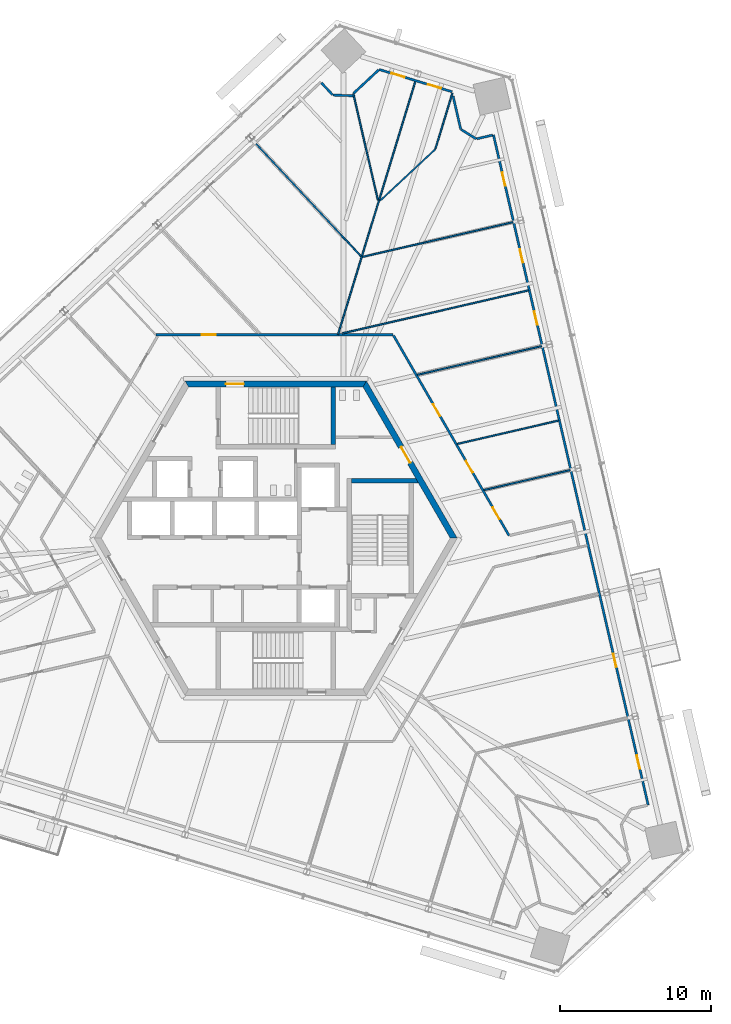
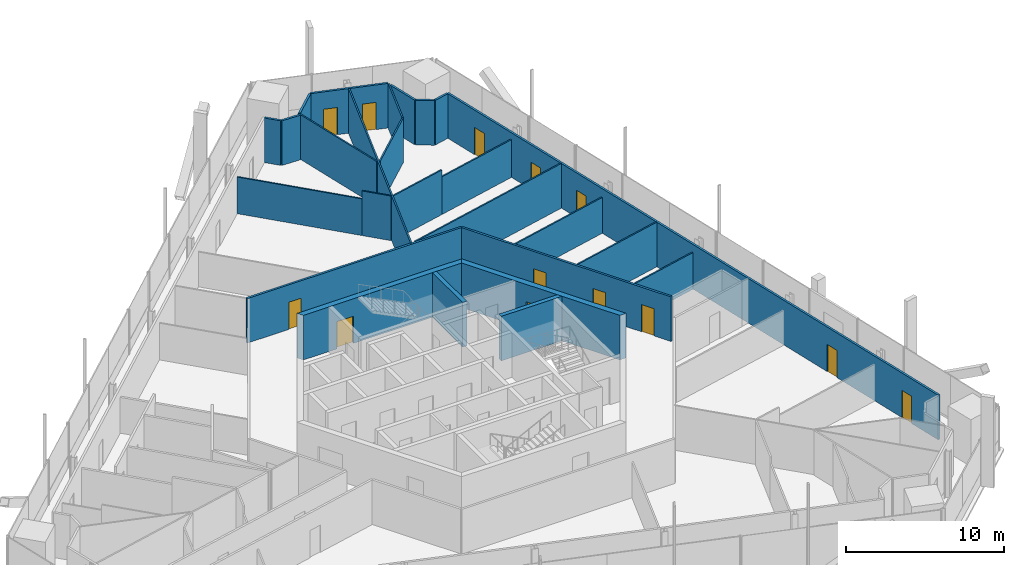
# One storey, part 16 of 24: 26 walls, 13 doors, 13 openings.
"""IFC4 building model written with IfcOpenShell, lengths in metres."""

from ifc_helpers import new_model, si_unit, direction, frame, frame_2d, origin, place, context, subcontext, project, spatial, polyline, rectangle, outline, extrude, source, transform, mapped, material, layer, layer_set, type_object, element, fill, save


model = new_model("IFC4")

# Units and contexts
model_context = context("Model", 3, precision=1e-05, world=origin(), true_north=direction((0.0, 1.0)))
body_context = subcontext(model_context, "Body", "Model", "MODEL_VIEW")
ifc_project = project(units=[si_unit("LENGTHUNIT", "METRE"), si_unit("AREAUNIT", "SQUARE_METRE"), si_unit("VOLUMEUNIT", "CUBIC_METRE"), si_unit("PLANEANGLEUNIT", "RADIAN"), si_unit("MASSUNIT", "GRAM", prefix="KILO")], contexts=[model_context])

# Site, building, storey
site_placement = place(None, origin())
site = spatial("IfcSite", under=ifc_project, at=site_placement, CompositionType="ELEMENT")
building_placement = place(site_placement, origin())
building = spatial("IfcBuilding", under=site, at=building_placement, Name="Triune Harvest Tower", CompositionType="ELEMENT")
storey_placement = place(building_placement, frame((0.0, 0.0, 127.10009765625)))
storey = spatial("IfcBuildingStorey", under=building, at=storey_placement, Name="L32", CompositionType="ELEMENT", Elevation=127.10009765625)

# Wall
ifc_material_1 = material(Name="Gypsum board on steel studs", Category="steel")
ifc_layer_1 = layer(ifc_material_1, 0.14990234375)
ifc_layer_set_1 = layer_set([ifc_layer_1], Name="Gypsum board on steel studs")
wall_type_1 = type_object("IfcWallType", Name="Fire Partition 150 mm", PredefinedType="PARTITIONING", material=ifc_layer_set_1)
wall_1_placement = place(storey_placement, frame((11.72314453125, 29.237548828125, 0.0), z_axis=(0.0, 0.0, 1.0), x_axis=(0.224962043888, -0.974367527584, 0.0)))
element("IfcWall", 1, at=wall_1_placement, inside=storey, type_object=wall_type_1, Name="Partition L32 004", PredefinedType="PARTITIONING", context=body_context, shape_type="SweptSolid", body=[
    extrude(rectangle(XDim=2.260498046875, YDim=0.14990234375, at=frame_2d((1.13037109375, 0.0))), origin(), (0.0, 0.0, 1.0), 3.43994140625),
])

# Wall, openings, doors
wall_2_placement = place(storey_placement, frame((14.39599609375, 26.66015625, 0.0), z_axis=(0.0, 0.0, 1.0), x_axis=(0.224955565269, -0.974369023345, 0.0)))
wall_2 = element("IfcWall", 2, at=wall_2_placement, inside=storey, type_object=wall_type_1, Name="Partition L32 007", PredefinedType="PARTITIONING", context=body_context, shape_type="SweptSolid", body=[
    extrude(rectangle(XDim=45.4765625, YDim=0.14990234375, at=frame_2d((22.73828125, 0.0))), origin(), (0.0, 0.0, 1.0), 3.43994140625),
])
opening_1_placement = place(wall_2_placement, frame((42.1171875, 0.0, 0.0)))
opening_1 = element("IfcOpeningElement", 3, at=opening_1_placement, cuts=wall_2, Name="Opening L32-001", PredefinedType="OPENING", context=body_context, shape_type="SweptSolid", body=[
    extrude(rectangle(XDim=0.89990234375, YDim=2.10009765625, at=frame_2d((0.449951171875, 1.050048828125))), frame((0.0, 0.0849609375, 0.0), z_axis=(0.0, -1.0, 0.0), x_axis=(1.0, 0.0, 0.0)), (0.0, 0.0, 1.0), 0.169921875),
])
opening_2_placement = place(wall_2_placement, frame((35.202880859375, 0.0, 0.0)))
opening_2 = element("IfcOpeningElement", 4, at=opening_2_placement, cuts=wall_2, Name="Opening L32-002", PredefinedType="OPENING", context=body_context, shape_type="SweptSolid", body=[
    extrude(rectangle(XDim=0.89990234375, YDim=2.10009765625, at=frame_2d((0.449951171875, 1.050048828125))), frame((0.0, 0.0849609375, 0.0), z_axis=(0.0, -1.0, 0.0), x_axis=(1.0, 0.0, 0.0)), (0.0, 0.0, 1.0), 0.169921875),
])
opening_3_placement = place(wall_2_placement, frame((7.759521484375, 0.0, 0.0)))
opening_3 = element("IfcOpeningElement", 5, at=opening_3_placement, cuts=wall_2, Name="Opening L32-007", PredefinedType="OPENING", context=body_context, shape_type="SweptSolid", body=[
    extrude(rectangle(XDim=0.89990234375, YDim=2.10009765625, at=frame_2d((0.449951171875, 1.050048828125))), frame((0.0, 0.0849609375, 0.0), z_axis=(0.0, -1.0, 0.0), x_axis=(1.0, 0.0, 0.0)), (0.0, 0.0, 1.0), 0.169921875),
])
opening_4_placement = place(wall_2_placement, frame((11.987548828125, 0.0, 0.0)))
opening_4 = element("IfcOpeningElement", 6, at=opening_4_placement, cuts=wall_2, Name="Opening L32-008", PredefinedType="OPENING", context=body_context, shape_type="SweptSolid", body=[
    extrude(rectangle(XDim=0.89990234375, YDim=2.10009765625, at=frame_2d((0.449951171875, 1.050048828125))), frame((0.0, 0.0849609375, 0.0), z_axis=(0.0, -1.0, 0.0), x_axis=(1.0, 0.0, 0.0)), (0.0, 0.0, 1.0), 0.169921875),
])
opening_5_placement = place(wall_2_placement, frame((2.550048828125, 0.0, 0.0)))
opening_5 = element("IfcOpeningElement", 7, at=opening_5_placement, cuts=wall_2, Name="Opening L32-009", PredefinedType="OPENING", context=body_context, shape_type="SweptSolid", body=[
    extrude(rectangle(XDim=0.89990234375, YDim=2.10009765625, at=frame_2d((0.449951171875, 1.050048828125))), frame((0.0, 0.0849609375, 0.0), z_axis=(0.0, -1.0, 0.0), x_axis=(1.0, 0.0, 0.0)), (0.0, 0.0, 1.0), 0.169921875),
])
ifc_material_2 = material(Name="Timber and steel door set", Category="steel")
door_type_1 = type_object("IfcDoorType", Name="Single leaf door FD30 left hand 900 x 2100", OperationType="SINGLE_SWING_LEFT", PredefinedType="DOOR", material=ifc_material_2)
door_1_placement = place(opening_1_placement, origin())
door_1 = element("IfcDoor", 8, at=door_1_placement, inside=storey, type_object=door_type_1, Name="Door L32-001 Reception 32.01", OperationType="SINGLE_SWING_LEFT", OverallHeight=2.10009765625, OverallWidth=0.89990234375, PredefinedType="DOOR", context=body_context, shape_type="SweptSolid", body=[
    extrude(rectangle(XDim=0.89990234375, YDim=2.10009765625, at=frame_2d((0.449951171875, 1.050048828125))), frame((0.0, 0.02490234375, 0.0), z_axis=(0.0, -1.0, 0.0), x_axis=(1.0, 0.0, 0.0)), (0.0, 0.0, 1.0), 0.050048828125),
])
fill(opening_1, door_1)
door_2_placement = place(opening_2_placement, origin())
door_2 = element("IfcDoor", 9, at=door_2_placement, inside=storey, type_object=door_type_1, Name="Door L32-002 Project Room 32.02", OperationType="SINGLE_SWING_LEFT", OverallHeight=2.10009765625, OverallWidth=0.89990234375, PredefinedType="DOOR", context=body_context, shape_type="SweptSolid", body=[
    extrude(rectangle(XDim=0.89990234375, YDim=2.10009765625, at=frame_2d((0.449951171875, 1.050048828125))), frame((0.0, 0.02490234375, 0.0), z_axis=(0.0, -1.0, 0.0), x_axis=(1.0, 0.0, 0.0)), (0.0, 0.0, 1.0), 0.050048828125),
])
fill(opening_2, door_2)
ifc_material_3 = material(Name="Timber and steel door set", Category="steel")
door_type_2 = type_object("IfcDoorType", Name="Single leaf door FD30 right hand 900 x 2100", OperationType="SINGLE_SWING_RIGHT", PredefinedType="DOOR", material=ifc_material_3)
door_3_placement = place(opening_3_placement, origin())
door_3 = element("IfcDoor", 10, at=door_3_placement, inside=storey, type_object=door_type_2, Name="Door L32-007 Office 32.07", OperationType="SINGLE_SWING_RIGHT", OverallHeight=2.10009765625, OverallWidth=0.89990234375, PredefinedType="DOOR", context=body_context, shape_type="SweptSolid", body=[
    extrude(rectangle(XDim=0.89990234375, YDim=2.10009765625, at=frame_2d((0.449951171875, 1.050048828125))), frame((0.0, 0.02490234375, 0.0), z_axis=(0.0, -1.0, 0.0), x_axis=(1.0, 0.0, 0.0)), (0.0, 0.0, 1.0), 0.050048828125),
])
fill(opening_3, door_3)
door_4_placement = place(opening_4_placement, origin())
door_4 = element("IfcDoor", 11, at=door_4_placement, inside=storey, type_object=door_type_2, Name="Door L32-008 Office 32.08", OperationType="SINGLE_SWING_RIGHT", OverallHeight=2.10009765625, OverallWidth=0.89990234375, PredefinedType="DOOR", context=body_context, shape_type="SweptSolid", body=[
    extrude(rectangle(XDim=0.89990234375, YDim=2.10009765625, at=frame_2d((0.449951171875, 1.050048828125))), frame((0.0, 0.02490234375, 0.0), z_axis=(0.0, -1.0, 0.0), x_axis=(1.0, 0.0, 0.0)), (0.0, 0.0, 1.0), 0.050048828125),
])
fill(opening_4, door_4)
door_5_placement = place(opening_5_placement, origin())
door_5 = element("IfcDoor", 12, at=door_5_placement, inside=storey, type_object=door_type_2, Name="Door L32-009 Project Room 32.09", OperationType="SINGLE_SWING_RIGHT", OverallHeight=2.10009765625, OverallWidth=0.89990234375, PredefinedType="DOOR", context=body_context, shape_type="SweptSolid", body=[
    extrude(rectangle(XDim=0.89990234375, YDim=2.10009765625, at=frame_2d((0.449951171875, 1.050048828125))), frame((0.0, 0.02490234375, 0.0), z_axis=(0.0, -1.0, 0.0), x_axis=(1.0, 0.0, 0.0)), (0.0, 0.0, 1.0), 0.050048828125),
])
fill(opening_5, door_5)

wall_3_placement = place(storey_placement, frame((7.785888671875, 13.39892578125, 0.0), z_axis=(0.0, 0.0, 1.0), x_axis=(0.499997244953, -0.866026994406, 0.0)))
wall_3 = element("IfcWall", 13, at=wall_3_placement, inside=storey, type_object=wall_type_1, Name="Partition L32 011", PredefinedType="PARTITIONING", context=body_context, shape_type="SweptSolid", body=[
    extrude(rectangle(XDim=15.27880859375, YDim=0.14990234375, at=frame_2d((7.639404296875, 0.0))), origin(), (0.0, 0.0, 1.0), 3.43994140625),
])
opening_6_placement = place(wall_3_placement, frame((13.12890625, 0.0, 0.0)))
opening_6 = element("IfcOpeningElement", 14, at=opening_6_placement, cuts=wall_3, Name="Opening L32-004", PredefinedType="OPENING", context=body_context, shape_type="SweptSolid", body=[
    extrude(rectangle(XDim=0.89990234375, YDim=2.10009765625, at=frame_2d((0.449951171875, 1.050048828125))), frame((0.0, 0.0849609375, 0.0), z_axis=(0.0, -1.0, 0.0), x_axis=(1.0, 0.0, 0.0)), (0.0, 0.0, 1.0), 0.169921875),
])
opening_7_placement = place(wall_3_placement, frame((5.251220703125, 0.0, 0.0)))
opening_7 = element("IfcOpeningElement", 15, at=opening_7_placement, cuts=wall_3, Name="Opening L32-005", PredefinedType="OPENING", context=body_context, shape_type="SweptSolid", body=[
    extrude(rectangle(XDim=0.89990234375, YDim=2.10009765625, at=frame_2d((0.449951171875, 1.050048828125))), frame((0.0, 0.0849609375, 0.0), z_axis=(0.0, -1.0, 0.0), x_axis=(1.0, 0.0, 0.0)), (0.0, 0.0, 1.0), 0.169921875),
])
opening_8_placement = place(wall_3_placement, frame((9.57080078125, 0.0, 0.0)))
opening_8 = element("IfcOpeningElement", 16, at=opening_8_placement, cuts=wall_3, Name="Opening L32-006", PredefinedType="OPENING", context=body_context, shape_type="SweptSolid", body=[
    extrude(rectangle(XDim=0.89990234375, YDim=2.10009765625, at=frame_2d((0.449951171875, 1.050048828125))), frame((0.0, 0.0849609375, 0.0), z_axis=(0.0, -1.0, 0.0), x_axis=(1.0, 0.0, 0.0)), (0.0, 0.0, 1.0), 0.169921875),
])
door_6_placement = place(opening_7_placement, origin())
door_6 = element("IfcDoor", 17, at=door_6_placement, inside=storey, type_object=door_type_1, Name="Door L32-005 Project Room 32.05", OperationType="SINGLE_SWING_LEFT", OverallHeight=2.10009765625, OverallWidth=0.89990234375, PredefinedType="DOOR", context=body_context, shape_type="SweptSolid", body=[
    extrude(rectangle(XDim=0.89990234375, YDim=2.10009765625, at=frame_2d((0.449951171875, 1.050048828125))), frame((0.0, 0.02490234375, 0.0), z_axis=(0.0, -1.0, 0.0), x_axis=(1.0, 0.0, 0.0)), (0.0, 0.0, 1.0), 0.050048828125),
])
fill(opening_7, door_6)
door_7_placement = place(opening_6_placement, origin())
door_7 = element("IfcDoor", 18, at=door_7_placement, inside=storey, type_object=door_type_2, Name="Door L32-004 Meeting Room 32.04", OperationType="SINGLE_SWING_RIGHT", OverallHeight=2.10009765625, OverallWidth=0.89990234375, PredefinedType="DOOR", context=body_context, shape_type="SweptSolid", body=[
    extrude(rectangle(XDim=0.89990234375, YDim=2.10009765625, at=frame_2d((0.449951171875, 1.050048828125))), frame((0.0, 0.02490234375, 0.0), z_axis=(0.0, -1.0, 0.0), x_axis=(1.0, 0.0, 0.0)), (0.0, 0.0, 1.0), 0.050048828125),
])
fill(opening_6, door_7)
door_8_placement = place(opening_8_placement, origin())
door_8 = element("IfcDoor", 19, at=door_8_placement, inside=storey, type_object=door_type_2, Name="Door L32-006 Pantry 32.06", OperationType="SINGLE_SWING_RIGHT", OverallHeight=2.10009765625, OverallWidth=0.89990234375, PredefinedType="DOOR", context=body_context, shape_type="SweptSolid", body=[
    extrude(rectangle(XDim=0.89990234375, YDim=2.10009765625, at=frame_2d((0.449951171875, 1.050048828125))), frame((0.0, 0.02490234375, 0.0), z_axis=(0.0, -1.0, 0.0), x_axis=(1.0, 0.0, 0.0)), (0.0, 0.0, 1.0), 0.050048828125),
])
fill(opening_8, door_8)

# Wall, opening, door
wall_4_placement = place(storey_placement, frame((-7.93310546875, 13.4423828125, 0.0), z_axis=(0.0, 0.0, 1.0), x_axis=(1.0, 0.0, 0.0)))
wall_4 = element("IfcWall", 20, at=wall_4_placement, inside=storey, type_object=wall_type_1, Name="Partition L32 035", PredefinedType="PARTITIONING", context=body_context, shape_type="SweptSolid", body=[
    extrude(rectangle(XDim=15.694091796875, YDim=0.14990234375, at=frame_2d((7.84716796875, 0.0))), origin(), (0.0, 0.0, 1.0), 3.43994140625),
])
opening_9_placement = place(wall_4_placement, frame((3.052978515625, 0.0, 0.0)))
opening_9 = element("IfcOpeningElement", 21, at=opening_9_placement, cuts=wall_4, Name="Opening L32-015", PredefinedType="OPENING", context=body_context, shape_type="SweptSolid", body=[
    extrude(rectangle(XDim=0.89990234375, YDim=2.10009765625, at=frame_2d((0.449951171875, 1.050048828125))), frame((0.0, 0.0849609375, 0.0), z_axis=(0.0, -1.0, 0.0), x_axis=(1.0, 0.0, 0.0)), (0.0, 0.0, 1.0), 0.169921875),
])
door_9_placement = place(opening_9_placement, origin())
door_9 = element("IfcDoor", 22, at=door_9_placement, inside=storey, type_object=door_type_1, Name="Door L32-015 Office 32.15", OperationType="SINGLE_SWING_LEFT", OverallHeight=2.10009765625, OverallWidth=0.89990234375, PredefinedType="DOOR", context=body_context, shape_type="SweptSolid", body=[
    extrude(rectangle(XDim=0.89990234375, YDim=2.10009765625, at=frame_2d((0.449951171875, 1.050048828125))), frame((0.0, 0.02490234375, 0.0), z_axis=(0.0, -1.0, 0.0), x_axis=(1.0, 0.0, 0.0)), (0.0, 0.0, 1.0), 0.050048828125),
])
fill(opening_9, door_9)

# Walls
ifc_material_4 = material(Name="Gypsum board on steel studs", Category="steel")
ifc_layer_2 = layer(ifc_material_4, 0.10009765625)
ifc_layer_set_2 = layer_set([ifc_layer_2], Name="Gypsum board on steel studs")
wall_type_2 = type_object("IfcWallType", Name="Partition 100 mm", PredefinedType="PARTITIONING", material=ifc_layer_set_2)
wall_5_placement = place(storey_placement, frame((-1.3076171875, 26.078125, 0.0), z_axis=(0.0, 0.0, 1.0), x_axis=(0.682001078124, -0.731351166977, 0.0)))
element("IfcWall", 23, at=wall_5_placement, inside=storey, type_object=wall_type_2, Name="Partition L32 024", PredefinedType="PARTITIONING", context=body_context, shape_type="SweptSolid", body=[
    extrude(rectangle(XDim=8.2568359375, YDim=0.10009765625, at=frame_2d((4.12841796875, 0.0))), origin(), (0.0, 0.0, 1.0), 2.82763671875),
])
wall_6_placement = place(storey_placement, frame((4.323486328125, 20.03955078125, 0.0), z_axis=(0.0, 0.0, 1.0), x_axis=(0.6820238949, -0.731329889165, 0.0)))
element("IfcWall", 24, at=wall_6_placement, inside=storey, type_object=wall_type_2, Name="Partition L32 024a", PredefinedType="PARTITIONING", context=body_context, shape_type="SweptSolid", body=[
    extrude(rectangle(XDim=1.921142578125, YDim=0.10009765625, at=frame_2d((0.96044921875, 0.0))), origin(), (0.0, 0.0, 1.0), 3.43994140625),
])
wall_7_placement = place(storey_placement, frame((13.764404296875, 3.177734375, 0.0), z_axis=(0.0, 0.0, 1.0), x_axis=(0.974363043156, 0.224981466197, 0.0)))
element("IfcWall", 25, at=wall_7_placement, inside=storey, type_object=wall_type_2, Name="Partition L32 047", PredefinedType="PARTITIONING", context=body_context, shape_type="SweptSolid", body=[
    extrude(rectangle(XDim=5.847900390625, YDim=0.10009765625, at=frame_2d((2.923828125, 0.0))), origin(), (0.0, 0.0, 1.0), 2.82763671875),
])
wall_8_placement = place(storey_placement, frame((12.004638671875, 6.225830078125, 0.0), z_axis=(0.0, 0.0, 1.0), x_axis=(0.974371446057, 0.224945071314, 0.0)))
element("IfcWall", 26, at=wall_8_placement, inside=storey, type_object=wall_type_2, Name="Partition L32 048", PredefinedType="PARTITIONING", context=body_context, shape_type="SweptSolid", body=[
    extrude(rectangle(XDim=6.876708984375, YDim=0.10009765625, at=frame_2d((3.4384765625, 0.0))), origin(), (0.0, 0.0, 1.0), 3.43994140625),
])
wall_9_placement = place(storey_placement, frame((9.364990234375, 10.7978515625, 0.0), z_axis=(0.0, 0.0, 1.0), x_axis=(0.974373600825, 0.224935737523, 0.0)))
element("IfcWall", 27, at=wall_9_placement, inside=storey, type_object=wall_type_2, Name="Partition L32 049", PredefinedType="PARTITIONING", context=body_context, shape_type="SweptSolid", body=[
    extrude(rectangle(XDim=8.42041015625, YDim=0.10009765625, at=frame_2d((4.210205078125, 0.0))), origin(), (0.0, 0.0, 1.0), 2.756591796875),
])
wall_10_placement = place(storey_placement, frame((4.421142578125, 13.54248046875, 0.0), z_axis=(0.0, 0.0, 1.0), x_axis=(0.974366410362, 0.224966882802, 0.0)))
element("IfcWall", 28, at=wall_10_placement, inside=storey, type_object=wall_type_2, Name="Partition L32 050", PredefinedType="PARTITIONING", context=body_context, shape_type="SweptSolid", body=[
    extrude(rectangle(XDim=12.6201171875, YDim=0.10009765625, at=frame_2d((6.31005859375, 0.0))), origin(), (0.0, 0.0, 1.0), 3.43994140625),
])
wall_11_placement = place(storey_placement, frame((5.749755859375, 18.598876953125, 0.0), z_axis=(0.0, 0.0, 1.0), x_axis=(0.974368422322, 0.224958168515, 0.0)))
element("IfcWall", 29, at=wall_11_placement, inside=storey, type_object=wall_type_2, Name="Partition L32 051", PredefinedType="PARTITIONING", context=body_context, shape_type="SweptSolid", body=[
    extrude(rectangle(XDim=4.156494140625, YDim=0.10009765625, at=frame_2d((2.078125, 0.0))), origin(), (0.0, 0.0, 1.0), 3.43994140625),
])
wall_12_placement = place(storey_placement, frame((9.7998046875, 19.533935546875, 0.0), z_axis=(0.0, 0.0, 1.0), x_axis=(0.974363216907, 0.224980713704, 0.0)))
element("IfcWall", 30, at=wall_12_placement, inside=storey, type_object=wall_type_2, Name="Partition L32 051a", PredefinedType="PARTITIONING", context=body_context, shape_type="SweptSolid", body=[
    extrude(rectangle(XDim=6.03125, YDim=0.10009765625, at=frame_2d((3.015625, 0.0))), origin(), (0.0, 0.0, 1.0), 2.90380859375),
])
wall_13_placement = place(storey_placement, frame((6.8974609375, 22.305419921875, 0.0), z_axis=(0.0, 0.0, 1.0), x_axis=(0.731351512532, 0.682000707563, 0.0)))
element("IfcWall", 31, at=wall_13_placement, inside=storey, type_object=wall_type_2, Name="Partition L32 056", PredefinedType="PARTITIONING", context=body_context, shape_type="SweptSolid", body=[
    extrude(rectangle(XDim=4.986572265625, YDim=0.10009765625, at=frame_2d((2.4931640625, 0.0))), origin(), (0.0, 0.0, 1.0), 3.43994140625),
])
wall_14_placement = place(storey_placement, frame((10.547607421875, 25.715576171875, 0.0), z_axis=(0.0, 0.0, 1.0), x_axis=(0.292381717892, 0.956301694573, 0.0)))
element("IfcWall", 32, at=wall_14_placement, inside=storey, type_object=wall_type_2, Name="Partition L32 069", PredefinedType="PARTITIONING", context=body_context, shape_type="SweptSolid", body=[
    extrude(rectangle(XDim=3.876953125, YDim=0.10009765625, at=frame_2d((1.9384765625, 0.0))), origin(), (0.0, 0.0, 1.0), 3.43994140625),
])
wall_15_placement = place(storey_placement, frame((4.117919921875, 13.469482421875, 0.0), z_axis=(0.0, 0.0, 1.0), x_axis=(0.292379359357, 0.956302415673, 0.0)))
element("IfcWall", 33, at=wall_15_placement, inside=storey, type_object=wall_type_2, Name="Partition L32 070", PredefinedType="PARTITIONING", context=body_context, shape_type="SweptSolid", body=[
    extrude(rectangle(XDim=17.5478515625, YDim=0.10009765625, at=frame_2d((8.77392578125, 0.0))), origin(), (0.0, 0.0, 1.0), 3.43994140625),
])

# Wall, opening, door
ifc_material_5 = material(Name="Concrete 70 MPa", Category="concrete")
ifc_layer_3 = layer(ifc_material_5, 0.39990234375)
ifc_layer_set_3 = layer_set([ifc_layer_3], Name="Concrete 70 MPa")
wall_type_3 = type_object("IfcWallType", Name="Core wall 400", PredefinedType="SHEAR", material=ifc_layer_set_3)
shared_shape_1 = source(origin(), body_context, "Body", "SweptSolid", [
    extrude(outline(polyline([(-0.115478515625, -0.199951171875), (11.884521484375, -0.199951171875), (11.653564453125, 0.199951171875), (0.115478515625, 0.199951171875), (-0.115478515625, -0.199951171875)])), origin(), (0.0, 0.0, 1.0), 3.43994140625),
])
wall_16_placement = place(storey_placement, frame((11.76904296875, 0.0, 0.0), z_axis=(0.0, 0.0, 1.0), x_axis=(-0.499996592174, 0.866027371285, 0.0)))
wall_16 = element("IfcWall", 34, at=wall_16_placement, inside=storey, type_object=wall_type_3, Name="Hexagon 0 wall", PredefinedType="SHEAR", context=body_context, shape_type="MappedRepresentation", body=[
    mapped(shared_shape_1, transform((0.0, 0.0, 0.0), scale=1.0)),
])
opening_10_placement = place(wall_16_placement, frame((5.75048828125, 0.0, 0.0)))
opening_10 = element("IfcOpeningElement", 35, at=opening_10_placement, cuts=wall_16, Name="Opening CD-WCP", PredefinedType="OPENING", context=body_context, shape_type="SweptSolid", body=[
    extrude(rectangle(XDim=1.199951171875, YDim=2.10009765625, at=frame_2d((0.60009765625, 1.050048828125))), frame((0.0, 0.2099609375, 0.0), z_axis=(0.0, -1.0, 0.0), x_axis=(1.0, 0.0, 0.0)), (0.0, 0.0, 1.0), 0.419921875),
])
ifc_material_6 = material(Name="Steel S235", Category="steel")
door_type_3 = type_object("IfcDoorType", Name="Lobby door 1200 FD120", OperationType="SINGLE_SWING_LEFT", PredefinedType="DOOR", material=ifc_material_6)
door_10_placement = place(opening_10_placement, frame((1.199951171875, 0.0, 0.0), z_axis=(0.0, 0.0, 1.0), x_axis=(-1.0, 0.0, 0.0)))
door_10 = element("IfcDoor", 36, at=door_10_placement, inside=storey, type_object=door_type_3, Name="Door CD-WCP", OperationType="SINGLE_SWING_RIGHT", OverallHeight=2.10009765625, OverallWidth=1.199951171875, PredefinedType="DOOR", context=body_context, shape_type="SweptSolid", body=[
    extrude(rectangle(XDim=1.199951171875, YDim=2.10009765625, at=frame_2d((0.60009765625, 1.050048828125))), frame((0.0, 0.02490234375, 0.0), z_axis=(0.0, -1.0, 0.0), x_axis=(1.0, 0.0, 0.0)), (0.0, 0.0, 1.0), 0.050048828125),
])
fill(opening_10, door_10)

wall_17_placement = place(storey_placement, frame((5.884521484375, 10.1923828125, 0.0), z_axis=(0.0, 0.0, 1.0), x_axis=(-1.0, 0.0, 0.0)))
wall_17 = element("IfcWall", 37, at=wall_17_placement, inside=storey, type_object=wall_type_3, Name="Hexagon 1 wall", PredefinedType="SHEAR", context=body_context, shape_type="MappedRepresentation", body=[
    mapped(shared_shape_1, transform((0.0, 0.0, 0.0), scale=1.0)),
])
opening_11_placement = place(wall_17_placement, frame((7.984619140625, 0.0, 0.0)))
opening_11 = element("IfcOpeningElement", 38, at=opening_11_placement, cuts=wall_17, Name="Opening CD-S1P", PredefinedType="OPENING", context=body_context, shape_type="SweptSolid", body=[
    extrude(rectangle(XDim=1.199951171875, YDim=2.10009765625, at=frame_2d((0.60009765625, 1.050048828125))), frame((0.0, 0.2099609375, 0.0), z_axis=(0.0, -1.0, 0.0), x_axis=(1.0, 0.0, 0.0)), (0.0, 0.0, 1.0), 0.419921875),
])
ifc_material_7 = material(Name="Steel S235", Category="steel")
door_type_4 = type_object("IfcDoorType", Name="Stair door 1200 FD120", OperationType="SINGLE_SWING_LEFT", PredefinedType="DOOR", material=ifc_material_7)
door_11_placement = place(opening_11_placement, frame((1.199951171875, 0.0, 0.0), z_axis=(0.0, 0.0, 1.0), x_axis=(-1.0, 0.0, 0.0)))
door_11 = element("IfcDoor", 39, at=door_11_placement, inside=storey, type_object=door_type_4, Name="Door CD-S1P", OperationType="SINGLE_SWING_RIGHT", OverallHeight=2.10009765625, OverallWidth=1.199951171875, PredefinedType="DOOR", context=body_context, shape_type="SweptSolid", body=[
    extrude(rectangle(XDim=1.199951171875, YDim=2.10009765625, at=frame_2d((0.60009765625, 1.050048828125))), frame((0.0, 0.02490234375, 0.0), z_axis=(0.0, -1.0, 0.0), x_axis=(1.0, 0.0, 0.0)), (0.0, 0.0, 1.0), 0.050048828125),
])
fill(opening_11, door_11)

# Walls
ifc_material_8 = material(Name="Concrete 70 MPa", Category="concrete")
ifc_layer_4 = layer(ifc_material_8, 0.300048828125)
ifc_layer_set_4 = layer_set([ifc_layer_4], Name="Concrete 70 MPa")
wall_type_4 = type_object("IfcWallType", Name="Core wall 300", PredefinedType="SHEAR", material=ifc_layer_set_4)
shared_shape_2 = source(origin(), body_context, "Body", "SweptSolid", [
    extrude(outline(polyline([(0.0, -0.14990234375), (0.0, 0.14990234375), (4.260009765625, 0.14990234375), (4.43310546875, -0.14990234375), (0.0, -0.14990234375)])), origin(), (0.0, 0.0, 1.0), 3.43994140625),
])
wall_18_placement = place(storey_placement, frame((5.0, 3.800048828125, 0.0), z_axis=(0.0, 0.0, 1.0), x_axis=(1.0, 0.0, 0.0)))
element("IfcWall", 40, at=wall_18_placement, inside=storey, type_object=wall_type_4, Name="Stair e north wall", PredefinedType="SHEAR", context=body_context, shape_type="MappedRepresentation", body=[
    mapped(shared_shape_2, transform((0.0, 0.0, 0.0), scale=1.0)),
])
shared_shape_3 = source(origin(), body_context, "Body", "SweptSolid", [
    extrude(outline(polyline([(0.0, -0.14990234375), (0.0, 0.14990234375), (3.80419921875, 0.14990234375), (3.80419921875, -0.14990234375), (0.0, -0.14990234375)])), origin(), (0.0, 0.0, 1.0), 3.43994140625),
])
wall_19_placement = place(storey_placement, frame((3.800048828125, 6.18994140625, 0.0), z_axis=(0.0, 0.0, 1.0), x_axis=(0.0, 1.0, 0.0)))
element("IfcWall", 41, at=wall_19_placement, inside=storey, type_object=wall_type_4, Name="Stair n east wall", PredefinedType="SHEAR", context=body_context, shape_type="MappedRepresentation", body=[
    mapped(shared_shape_3, transform((0.0, 0.0, 0.0), scale=1.0)),
])

# Wall, openings, doors
shared_shape_4 = source(origin(), body_context, "Body", "SweptSolid", [
    extrude(rectangle(XDim=5.044189453125, YDim=0.14990234375, at=frame_2d((2.52197265625, 0.0))), origin(), (0.0, 0.0, 1.0), 3.43994140625),
])
wall_20_placement = place(storey_placement, frame((6.836669921875, 30.988037109375, 0.0), z_axis=(0.0, 0.0, 1.0), x_axis=(0.956299705495, -0.29238822355, 0.0)))
wall_20 = element("IfcWall", 42, at=wall_20_placement, inside=storey, type_object=wall_type_1, Name="Partition L32 032", PredefinedType="PARTITIONING", context=body_context, shape_type="MappedRepresentation", body=[
    mapped(shared_shape_4, transform((0.0, 0.0, 0.0), scale=1.0)),
])
opening_12_placement = place(wall_20_placement, frame((3.3720703125, 0.0, 0.0)))
opening_12 = element("IfcOpeningElement", 43, at=opening_12_placement, cuts=wall_20, Name="Opening L32-010", PredefinedType="OPENING", context=body_context, shape_type="SweptSolid", body=[
    extrude(rectangle(XDim=0.89990234375, YDim=2.10009765625, at=frame_2d((0.449951171875, 1.050048828125))), frame((0.0, 0.0849609375, 0.0), z_axis=(0.0, -1.0, 0.0), x_axis=(1.0, 0.0, 0.0)), (0.0, 0.0, 1.0), 0.169921875),
])
opening_13_placement = place(wall_20_placement, frame((0.85009765625, 0.0, 0.0)))
opening_13 = element("IfcOpeningElement", 44, at=opening_13_placement, cuts=wall_20, Name="Opening L32-011", PredefinedType="OPENING", context=body_context, shape_type="SweptSolid", body=[
    extrude(rectangle(XDim=0.89990234375, YDim=2.10009765625, at=frame_2d((0.449951171875, 1.050048828125))), frame((0.0, 0.0849609375, 0.0), z_axis=(0.0, -1.0, 0.0), x_axis=(1.0, 0.0, 0.0)), (0.0, 0.0, 1.0), 0.169921875),
])
door_12_placement = place(opening_12_placement, origin())
door_12 = element("IfcDoor", 45, at=door_12_placement, inside=storey, type_object=door_type_1, Name="Door L32-010 Print room 32.10", OperationType="SINGLE_SWING_LEFT", OverallHeight=2.10009765625, OverallWidth=0.89990234375, PredefinedType="DOOR", context=body_context, shape_type="SweptSolid", body=[
    extrude(rectangle(XDim=0.89990234375, YDim=2.10009765625, at=frame_2d((0.449951171875, 1.050048828125))), frame((0.0, 0.02490234375, 0.0), z_axis=(0.0, -1.0, 0.0), x_axis=(1.0, 0.0, 0.0)), (0.0, 0.0, 1.0), 0.050048828125),
])
fill(opening_12, door_12)
door_13_placement = place(opening_13_placement, origin())
door_13 = element("IfcDoor", 46, at=door_13_placement, inside=storey, type_object=door_type_2, Name="Door L32-011 Pantry 32.11", OperationType="SINGLE_SWING_RIGHT", OverallHeight=2.10009765625, OverallWidth=0.89990234375, PredefinedType="DOOR", context=body_context, shape_type="SweptSolid", body=[
    extrude(rectangle(XDim=0.89990234375, YDim=2.10009765625, at=frame_2d((0.449951171875, 1.050048828125))), frame((0.0, 0.02490234375, 0.0), z_axis=(0.0, -1.0, 0.0), x_axis=(1.0, 0.0, 0.0)), (0.0, 0.0, 1.0), 0.050048828125),
])
fill(opening_13, door_13)

# Walls
shared_shape_5 = source(origin(), body_context, "Body", "SweptSolid", [
    extrude(rectangle(XDim=7.230712890625, YDim=0.10009765625, at=frame_2d((3.615234375, 0.0))), origin(), (0.0, 0.0, 1.0), 3.43994140625),
])
wall_21_placement = place(storey_placement, frame((5.1279296875, 29.394287109375, 0.0), z_axis=(0.0, 0.0, 1.0), x_axis=(0.224938416014, -0.974372982487, 0.0)))
element("IfcWall", 47, at=wall_21_placement, inside=storey, type_object=wall_type_2, Name="Partition L32 002", PredefinedType="PARTITIONING", context=body_context, shape_type="MappedRepresentation", body=[
    mapped(shared_shape_5, transform((0.0, 0.0, 0.0), scale=1.0)),
])
shared_shape_6 = source(origin(), body_context, "Body", "SweptSolid", [
    extrude(rectangle(XDim=1.081298828125, YDim=0.14990234375, at=frame_2d((0.54052734375, 0.0))), origin(), (0.0, 0.0, 1.0), 3.43994140625),
])
wall_22_placement = place(storey_placement, frame((13.283935546875, 26.4033203125, 0.0), z_axis=(0.0, 0.0, 1.0), x_axis=(0.974391195695, 0.224859506699, 0.0)))
element("IfcWall", 48, at=wall_22_placement, inside=storey, type_object=wall_type_1, Name="Partition L32 052", PredefinedType="PARTITIONING", context=body_context, shape_type="MappedRepresentation", body=[
    mapped(shared_shape_6, transform((0.0, 0.0, 0.0), scale=1.0)),
])
shared_shape_7 = source(origin(), body_context, "Body", "SweptSolid", [
    extrude(rectangle(XDim=1.08154296875, YDim=0.14990234375, at=frame_2d((0.540771484375, 0.0))), origin(), (0.0, 0.0, 1.0), 3.43994140625),
])
wall_23_placement = place(storey_placement, frame((3.01416015625, 30.1083984375, 0.0), z_axis=(0.0, 0.0, 1.0), x_axis=(0.681956234346, -0.731392982218, 0.0)))
element("IfcWall", 49, at=wall_23_placement, inside=storey, type_object=wall_type_1, Name="Partition L32 025", PredefinedType="PARTITIONING", context=body_context, shape_type="MappedRepresentation", body=[
    mapped(shared_shape_7, transform((0.0, 0.0, 0.0), scale=1.0)),
])
shared_shape_8 = source(origin(), body_context, "Body", "SweptSolid", [
    extrude(rectangle(XDim=1.17529296875, YDim=0.14990234375, at=frame_2d((0.587646484375, 0.0))), origin(), (0.0, 0.0, 1.0), 3.43994140625),
])
wall_24_placement = place(storey_placement, frame((12.2578125, 27.019287109375, 0.0), z_axis=(0.0, 0.0, 1.0), x_axis=(0.848079977646, -0.529868239769, 0.0)))
element("IfcWall", 50, at=wall_24_placement, inside=storey, type_object=wall_type_1, Name="Partition L32 026", PredefinedType="PARTITIONING", context=body_context, shape_type="MappedRepresentation", body=[
    mapped(shared_shape_8, transform((0.0, 0.0, 0.0), scale=1.0)),
])
shared_shape_9 = source(origin(), body_context, "Body", "SweptSolid", [
    extrude(rectangle(XDim=1.34033203125, YDim=0.14990234375, at=frame_2d((0.670166015625, 0.0))), origin(), (0.0, 0.0, 1.0), 3.43994140625),
])
wall_25_placement = place(storey_placement, frame((3.772216796875, 29.295654296875, 0.0), z_axis=(0.0, 0.0, 1.0), x_axis=(0.999388348643, -0.034970396016, 0.0)))
element("IfcWall", 51, at=wall_25_placement, inside=storey, type_object=wall_type_1, Name="Partition L32 033", PredefinedType="PARTITIONING", context=body_context, shape_type="MappedRepresentation", body=[
    mapped(shared_shape_9, transform((0.0, 0.0, 0.0), scale=1.0)),
])
shared_shape_10 = source(origin(), body_context, "Body", "SweptSolid", [
    extrude(rectangle(XDim=2.256591796875, YDim=0.14990234375, at=frame_2d((1.12841796875, 0.0))), origin(), (0.0, 0.0, 1.0), 3.43994140625),
])
wall_26_placement = place(storey_placement, frame((5.150390625, 29.41455078125, 0.0), z_axis=(0.0, 0.0, 1.0), x_axis=(0.731343016167, 0.682009818627, 0.0)))
element("IfcWall", 52, at=wall_26_placement, inside=storey, type_object=wall_type_1, Name="Partition L32 059", PredefinedType="PARTITIONING", context=body_context, shape_type="MappedRepresentation", body=[
    mapped(shared_shape_10, transform((0.0, 0.0, 0.0), scale=1.0)),
])

save(model, "model.ifc")
